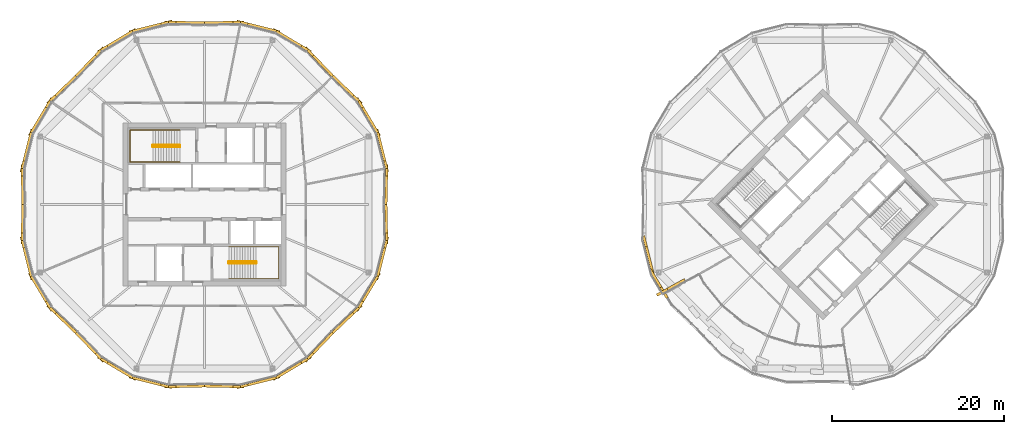
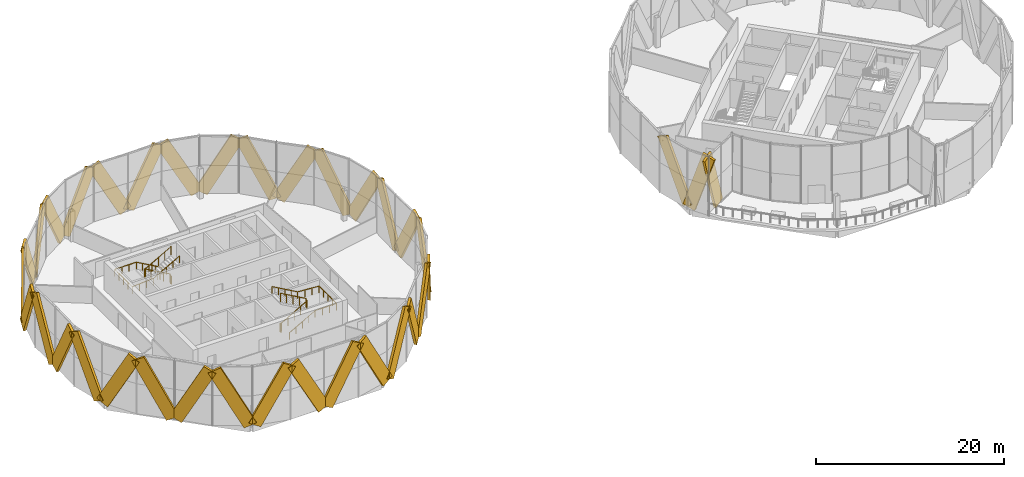
# One storey, part 23 of 26: 35 coverings, 4 railings.
"""IFC4 building model written with IfcOpenShell, lengths in metres."""

from ifc_helpers import new_model, si_unit, direction, frame, origin, origin_2d, place, context, subcontext, project, spatial, rectangle, circle, extrude, material, material_profile, profile_set, type_object, element, save


model = new_model("IFC4")

# Units and contexts
model_context = context("Model", 3, precision=1e-05, world=origin(), true_north=direction((0.0, 1.0)))
body_context = subcontext(model_context, "Body", "Model", "MODEL_VIEW")
ifc_project = project(units=[si_unit("LENGTHUNIT", "METRE"), si_unit("AREAUNIT", "SQUARE_METRE"), si_unit("VOLUMEUNIT", "CUBIC_METRE"), si_unit("PLANEANGLEUNIT", "RADIAN"), si_unit("MASSUNIT", "GRAM", prefix="KILO")], contexts=[model_context])

# Site, building, storey
site_placement = place(None, origin())
site = spatial("IfcSite", under=ifc_project, at=site_placement, CompositionType="ELEMENT")
building_placement = place(site_placement, origin())
building = spatial("IfcBuilding", under=site, at=building_placement, Name="Ogive Gate Towers", CompositionType="ELEMENT")
storey_placement = place(building_placement, frame((0.0, 0.0, 208.5)))
storey = spatial("IfcBuildingStorey", under=building, at=storey_placement, Name="L50", CompositionType="ELEMENT", Elevation=208.5)

# Coverings
ifc_material_1 = material(Name="Pale metal aluminium", Category="aluminium")
ifc_material_profile = material_profile(ifc_material_1, rectangle(XDim=0.300048828125, YDim=1.5, at=origin_2d()), Name="1500 x 300 pale metal aluminium")
ifc_profile_set = profile_set([ifc_material_profile], Name="Pale metal aluminium")
covering_type = type_object("IfcCoveringType", Name="Facade fin 1500 x 300", PredefinedType="CLADDING", material=ifc_profile_set)
covering_1_placement = place(storey_placement, frame((-14.865966796875, 0.183837890625, 0.00341796875), z_axis=(0.010291351104, 0.471155661175, 0.881990040213), x_axis=(-0.999761531732, 0.021837574694, 0.0)))
element("IfcCovering", 1, at=covering_1_placement, inside=storey, type_object=covering_type, Name="Facade fin", PredefinedType="CLADDING", context=body_context, shape_type="SweptSolid", body=[
    extrude(rectangle(XDim=0.300048828125, YDim=1.5, at=origin_2d()), origin(), (0.0, 0.0, 1.0), 8.0419921875),
])
for number, where, z_axis, x_axis, name in (
    (2, (-15.772705078125, 8.134765625, 0.00732421875), (0.116539813476, -0.462069606173, 0.87915308731), (0.969635576816, 0.244554386941, 0.0), "Facade fin"),
    (3, (-15.945068359375, 8.55078125, 0.00732421875), (-0.244318266071, 0.409146001432, 0.879151940438), (-0.858573583658, -0.512690356301, 0.0), "Facade fin"),
):
    element("IfcCovering", number, at=place(storey_placement, frame(where, z_axis=z_axis, x_axis=x_axis)), inside=storey, type_object=covering_type, Name=name, PredefinedType="CLADDING", context=body_context, shape_type="SweptSolid", body=[
        extrude(rectangle(XDim=0.300048828125, YDim=1.5, at=origin_2d()), origin(), (0.0, 0.0, 1.0), 8.05908203125),
    ])
for number, where, z_axis, x_axis, name in (
    (4, (-20.926025390625, 14.814208984375, 0.00341796875), (0.340429518652, -0.325918611757, 0.881977778258), (0.69154432748, 0.722334024624, 0.0), "Facade fin"),
    (5, (-21.185791015625, 15.073974609375, 0.00341796875), (-0.325918611757, 0.340429518652, 0.881977778258), (-0.722334024624, -0.69154432748, 0.0), "Facade fin"),
):
    element("IfcCovering", number, at=place(storey_placement, frame(where, z_axis=z_axis, x_axis=x_axis)), inside=storey, type_object=covering_type, Name=name, PredefinedType="CLADDING", context=body_context, shape_type="SweptSolid", body=[
        extrude(rectangle(XDim=0.300048828125, YDim=1.5, at=origin_2d()), origin(), (0.0, 0.0, 1.0), 8.042236328125),
    ])
for number, where, z_axis, x_axis, name in (
    (6, (-27.44921875, 20.054931640625, 0.00732421875), (0.409146001432, -0.244318266071, 0.879151940438), (0.512690356301, 0.858573583658, 0.0), "Facade fin"),
    (7, (-27.865234375, 20.227294921875, 0.00732421875), (-0.462069606173, 0.116539813476, 0.87915308731), (-0.244554386941, -0.969635576816, 0.0), "Facade fin"),
):
    element("IfcCovering", number, at=place(storey_placement, frame(where, z_axis=z_axis, x_axis=x_axis)), inside=storey, type_object=covering_type, Name=name, PredefinedType="CLADDING", context=body_context, shape_type="SweptSolid", body=[
        extrude(rectangle(XDim=0.300048828125, YDim=1.5, at=origin_2d()), origin(), (0.0, 0.0, 1.0), 8.05908203125),
    ])
for number, where, z_axis, x_axis, name in (
    (8, (-35.816162109375, 21.134033203125, 0.00341796875), (0.471155661175, 0.010291351104, 0.881990040213), (-0.021837574694, 0.999761531732, 0.0), "Facade fin"),
    (9, (-36.183837890625, 21.134033203125, 0.00341796875), (-0.471155661175, 0.010291351104, 0.881990040213), (-0.021837574694, -0.999761531732, 0.0), "Facade fin"),
):
    element("IfcCovering", number, at=place(storey_placement, frame(where, z_axis=z_axis, x_axis=x_axis)), inside=storey, type_object=covering_type, Name=name, PredefinedType="CLADDING", context=body_context, shape_type="SweptSolid", body=[
        extrude(rectangle(XDim=0.300048828125, YDim=1.5, at=origin_2d()), origin(), (0.0, 0.0, 1.0), 8.0419921875),
    ])
for number, where, z_axis, x_axis, name in (
    (10, (-44.134765625, 20.227294921875, 0.00732421875), (0.462069606173, 0.116539813476, 0.87915308731), (-0.244554386941, 0.969635576816, 0.0), "Facade fin"),
    (11, (-44.55078125, 20.054931640625, 0.00732421875), (-0.409146001432, -0.244318266071, 0.879151940438), (0.512690356301, -0.858573583658, 0.0), "Facade fin"),
):
    element("IfcCovering", number, at=place(storey_placement, frame(where, z_axis=z_axis, x_axis=x_axis)), inside=storey, type_object=covering_type, Name=name, PredefinedType="CLADDING", context=body_context, shape_type="SweptSolid", body=[
        extrude(rectangle(XDim=0.300048828125, YDim=1.5, at=origin_2d()), origin(), (0.0, 0.0, 1.0), 8.05908203125),
    ])
for number, where, z_axis, x_axis, name in (
    (12, (-50.814208984375, 15.073974609375, 0.00341796875), (0.325918611757, 0.340429518652, 0.881977778258), (-0.722334024624, 0.69154432748, 0.0), "Facade fin"),
    (13, (-51.073974609375, 14.814208984375, 0.00341796875), (-0.340429518652, -0.325918611757, 0.881977778258), (0.69154432748, -0.722334024624, 0.0), "Facade fin"),
):
    element("IfcCovering", number, at=place(storey_placement, frame(where, z_axis=z_axis, x_axis=x_axis)), inside=storey, type_object=covering_type, Name=name, PredefinedType="CLADDING", context=body_context, shape_type="SweptSolid", body=[
        extrude(rectangle(XDim=0.300048828125, YDim=1.5, at=origin_2d()), origin(), (0.0, 0.0, 1.0), 8.042236328125),
    ])
for number, where, z_axis, x_axis, name in (
    (14, (-56.054931640625, 8.55078125, 0.00732421875), (0.244318266071, 0.409146001432, 0.879151940438), (-0.858573583658, 0.512690356301, 0.0), "Facade fin"),
    (15, (-56.227294921875, 8.134765625, 0.00732421875), (-0.116539813476, -0.462069606173, 0.87915308731), (0.969635576816, -0.244554386941, 0.0), "Facade fin"),
):
    element("IfcCovering", number, at=place(storey_placement, frame(where, z_axis=z_axis, x_axis=x_axis)), inside=storey, type_object=covering_type, Name=name, PredefinedType="CLADDING", context=body_context, shape_type="SweptSolid", body=[
        extrude(rectangle(XDim=0.300048828125, YDim=1.5, at=origin_2d()), origin(), (0.0, 0.0, 1.0), 8.05908203125),
    ])
for number, where, z_axis, x_axis, name in (
    (16, (-57.134033203125, 0.183837890625, 0.00341796875), (-0.010291351104, 0.471155661175, 0.881990040213), (-0.999761531732, -0.021837574694, 0.0), "Facade fin"),
    (17, (-57.134033203125, -0.183837890625, 0.00341796875), (-0.010291351104, -0.471155661175, 0.881990040213), (0.999761531732, -0.021837574694, 0.0), "Facade fin"),
):
    element("IfcCovering", number, at=place(storey_placement, frame(where, z_axis=z_axis, x_axis=x_axis)), inside=storey, type_object=covering_type, Name=name, PredefinedType="CLADDING", context=body_context, shape_type="SweptSolid", body=[
        extrude(rectangle(XDim=0.300048828125, YDim=1.5, at=origin_2d()), origin(), (0.0, 0.0, 1.0), 8.0419921875),
    ])
for number, where, z_axis, x_axis, name in (
    (18, (-56.227294921875, -8.134765625, 0.00732421875), (-0.116539813476, 0.462069606173, 0.87915308731), (-0.969635576816, -0.244554386941, 0.0), "Facade fin"),
    (19, (-56.054931640625, -8.55078125, 0.00732421875), (0.244318266071, -0.409146001432, 0.879151940438), (0.858573583658, 0.512690356301, 0.0), "Facade fin"),
):
    element("IfcCovering", number, at=place(storey_placement, frame(where, z_axis=z_axis, x_axis=x_axis)), inside=storey, type_object=covering_type, Name=name, PredefinedType="CLADDING", context=body_context, shape_type="SweptSolid", body=[
        extrude(rectangle(XDim=0.300048828125, YDim=1.5, at=origin_2d()), origin(), (0.0, 0.0, 1.0), 8.05908203125),
    ])
for number, where, z_axis, x_axis, name in (
    (20, (-51.073974609375, -14.814208984375, 0.00341796875), (-0.340429518652, 0.325918611757, 0.881977778258), (-0.69154432748, -0.722334024624, 0.0), "Facade fin"),
    (21, (-50.814208984375, -15.073974609375, 0.00341796875), (0.325918611757, -0.340429518652, 0.881977778258), (0.722334024624, 0.69154432748, 0.0), "Facade fin"),
):
    element("IfcCovering", number, at=place(storey_placement, frame(where, z_axis=z_axis, x_axis=x_axis)), inside=storey, type_object=covering_type, Name=name, PredefinedType="CLADDING", context=body_context, shape_type="SweptSolid", body=[
        extrude(rectangle(XDim=0.300048828125, YDim=1.5, at=origin_2d()), origin(), (0.0, 0.0, 1.0), 8.042236328125),
    ])
for number, where, z_axis, x_axis, name in (
    (22, (-44.55078125, -20.054931640625, 0.00732421875), (-0.409146001432, 0.244318266071, 0.879151940438), (-0.512690356301, -0.858573583658, 0.0), "Facade fin"),
    (23, (-44.134765625, -20.227294921875, 0.00732421875), (0.462069606173, -0.116539813476, 0.87915308731), (0.244554386941, 0.969635576816, 0.0), "Facade fin"),
):
    element("IfcCovering", number, at=place(storey_placement, frame(where, z_axis=z_axis, x_axis=x_axis)), inside=storey, type_object=covering_type, Name=name, PredefinedType="CLADDING", context=body_context, shape_type="SweptSolid", body=[
        extrude(rectangle(XDim=0.300048828125, YDim=1.5, at=origin_2d()), origin(), (0.0, 0.0, 1.0), 8.05908203125),
    ])
for number, where, z_axis, x_axis, name in (
    (24, (-36.183837890625, -21.134033203125, 0.00341796875), (-0.471155661175, -0.010291351104, 0.881990040213), (0.021837574694, -0.999761531732, 0.0), "Facade fin"),
    (25, (-35.816162109375, -21.134033203125, 0.00341796875), (0.471155661175, -0.010291351104, 0.881990040213), (0.021837574694, 0.999761531732, 0.0), "Facade fin"),
):
    element("IfcCovering", number, at=place(storey_placement, frame(where, z_axis=z_axis, x_axis=x_axis)), inside=storey, type_object=covering_type, Name=name, PredefinedType="CLADDING", context=body_context, shape_type="SweptSolid", body=[
        extrude(rectangle(XDim=0.300048828125, YDim=1.5, at=origin_2d()), origin(), (0.0, 0.0, 1.0), 8.0419921875),
    ])
for number, where, z_axis, x_axis, name in (
    (26, (-27.865234375, -20.227294921875, 0.00732421875), (-0.462069606173, -0.116539813476, 0.87915308731), (0.244554386941, -0.969635576816, 0.0), "Facade fin"),
    (27, (-27.44921875, -20.054931640625, 0.00732421875), (0.409146001432, 0.244318266071, 0.879151940438), (-0.512690356301, 0.858573583658, 0.0), "Facade fin"),
):
    element("IfcCovering", number, at=place(storey_placement, frame(where, z_axis=z_axis, x_axis=x_axis)), inside=storey, type_object=covering_type, Name=name, PredefinedType="CLADDING", context=body_context, shape_type="SweptSolid", body=[
        extrude(rectangle(XDim=0.300048828125, YDim=1.5, at=origin_2d()), origin(), (0.0, 0.0, 1.0), 8.05908203125),
    ])
for number, where, z_axis, x_axis, name in (
    (28, (-21.185791015625, -15.073974609375, 0.00341796875), (-0.325918611757, -0.340429518652, 0.881977778258), (0.722334024624, -0.69154432748, 0.0), "Facade fin"),
    (29, (-20.926025390625, -14.814208984375, 0.00341796875), (0.340429518652, 0.325918611757, 0.881977778258), (-0.69154432748, 0.722334024624, 0.0), "Facade fin"),
):
    element("IfcCovering", number, at=place(storey_placement, frame(where, z_axis=z_axis, x_axis=x_axis)), inside=storey, type_object=covering_type, Name=name, PredefinedType="CLADDING", context=body_context, shape_type="SweptSolid", body=[
        extrude(rectangle(XDim=0.300048828125, YDim=1.5, at=origin_2d()), origin(), (0.0, 0.0, 1.0), 8.042236328125),
    ])
for number, where, z_axis, x_axis, name in (
    (30, (-15.945068359375, -8.55078125, 0.00732421875), (-0.244318266071, -0.409146001432, 0.879151940438), (0.858573583658, -0.512690356301, 0.0), "Facade fin"),
    (31, (-15.772705078125, -8.134765625, 0.00732421875), (0.116539813476, 0.462069606173, 0.87915308731), (-0.969635576816, 0.244554386941, 0.0), "Facade fin"),
):
    element("IfcCovering", number, at=place(storey_placement, frame(where, z_axis=z_axis, x_axis=x_axis)), inside=storey, type_object=covering_type, Name=name, PredefinedType="CLADDING", context=body_context, shape_type="SweptSolid", body=[
        extrude(rectangle(XDim=0.300048828125, YDim=1.5, at=origin_2d()), origin(), (0.0, 0.0, 1.0), 8.05908203125),
    ])
covering_2_placement = place(storey_placement, frame((-14.865966796875, -0.183837890625, 0.00341796875), z_axis=(0.010291351104, -0.471155661175, 0.881990040213), x_axis=(0.999761531732, 0.021837574694, 0.0)))
element("IfcCovering", 32, at=covering_2_placement, inside=storey, type_object=covering_type, Name="Facade fin", PredefinedType="CLADDING", context=body_context, shape_type="SweptSolid", body=[
    extrude(rectangle(XDim=0.300048828125, YDim=1.5, at=origin_2d()), origin(), (0.0, 0.0, 1.0), 8.0419921875),
])
covering_3_placement = place(storey_placement, frame((16.21875, -8.022216796875, 0.00732421875), z_axis=(-0.11656969557, 0.462067974669, 0.879149983143), x_axis=(-0.969620500905, -0.244614153772, 0.0)))
element("IfcCovering", 33, at=covering_3_placement, inside=storey, type_object=covering_type, Name="Facade fin", PredefinedType="CLADDING", context=body_context, shape_type="SweptSolid", body=[
    extrude(rectangle(XDim=0.300048828125, YDim=1.5, at=origin_2d()), origin(), (0.0, 0.0, 1.0), 8.05908203125),
])
covering_4_placement = place(storey_placement, frame((19.30029296875, -9.108154296875, -0.127197265625), z_axis=(-0.259947688534, -0.144094889901, 0.954810903756), x_axis=(0.484818713964, -0.874614666348, 0.0)))
element("IfcCovering", 34, at=covering_4_placement, inside=storey, type_object=covering_type, Name="Facade fin", PredefinedType="CLADDING", context=body_context, shape_type="SweptSolid", body=[
    extrude(rectangle(XDim=0.300048828125, YDim=1.5, at=origin_2d()), origin(), (0.0, 0.0, 1.0), 7.702392578125),
])
covering_5_placement = place(storey_placement, frame((16.279541015625, -8.213623046875, -0.1171875), z_axis=(0.159131013581, -0.266494610536, 0.950609248362), x_axis=(0.858579417996, 0.51268058574, 0.0)))
element("IfcCovering", 35, at=covering_5_placement, inside=storey, type_object=covering_type, Name="Facade fin", PredefinedType="CLADDING", context=body_context, shape_type="SweptSolid", body=[
    extrude(rectangle(XDim=0.300048828125, YDim=1.5, at=origin_2d()), origin(), (0.0, 0.0, 1.0), 7.715576171875),
])

# Railings
ifc_material_2 = material(Name="Stainless steel", Category="steel")
railing_type_1 = type_object("IfcRailingType", Name="Stair guard 1100", PredefinedType="GUARDRAIL", material=ifc_material_2)
railing_1_placement = place(storey_placement, frame((-38.81494140625, 6.860107421875, 0.0)))
element("IfcRailing", 36, at=railing_1_placement, inside=storey, type_object=railing_type_1, Name="L50 ST1 stair guard 1", PredefinedType="GUARDRAIL", context=body_context, shape_type="SweptSolid", body=[
    extrude(circle(Radius=0.02392578125, at=origin_2d()), frame((0.0, 0.0, 1.076171875), z_axis=(0.0, -1.0, 0.0), x_axis=(1.0, 0.0, 0.0)), (0.0, 0.0, 1.0), 0.14501953125),
    extrude(circle(Radius=0.02392578125, at=origin_2d()), frame((0.0, -0.14501953125, 1.076171875), z_axis=(-0.186679794065, 0.726685247142, 0.661119660934), x_axis=(-0.968551454522, -0.24881334358, 0.0)), (0.0, 0.0, 1.0), 0.26806640625),
    extrude(circle(Radius=0.02392578125, at=origin_2d()), frame((-0.050048828125, 0.0498046875, 1.25341796875), z_axis=(-0.870572935281, 0.0, 0.492039393094), x_axis=(0.0, -1.0, 0.0)), (0.0, 0.0, 1.0), 3.602783203125),
    extrude(circle(Radius=0.02392578125, at=origin_2d()), frame((-3.1865234375, 0.0498046875, 3.02587890625), z_axis=(-0.707106781187, -0.707106781187, 0.0), x_axis=(0.707106781187, -0.707106781187, 0.0)), (0.0, 0.0, 1.0), 0.0703125),
    extrude(circle(Radius=0.02392578125, at=origin_2d()), frame((-3.236328125, 0.0, 3.02587890625), z_axis=(0.0, -1.0, 0.0), x_axis=(1.0, 0.0, 0.0)), (0.0, 0.0, 1.0), 0.14501953125),
    extrude(circle(Radius=0.02392578125, at=origin_2d()), frame((-3.236328125, -0.14501953125, 3.02587890625), z_axis=(0.261041864531, -0.262321481514, 0.929001929653), x_axis=(0.708833529934, 0.705375805398, 0.0)), (0.0, 0.0, 1.0), 0.190673828125),
    extrude(circle(Radius=0.02392578125, at=origin_2d()), frame((-3.1865234375, -0.195068359375, 3.203125), z_axis=(0.870572935281, 0.0, 0.492039393094), x_axis=(0.0, 1.0, 0.0)), (0.0, 0.0, 1.0), 3.602783203125),
    extrude(circle(Radius=0.02099609375, at=origin_2d()), origin(), (0.0, 0.0, 1.0), 1.052001953125),
    extrude(circle(Radius=0.02099609375, at=origin_2d()), frame((0.0, -0.14501953125, 0.0)), (0.0, 0.0, 1.0), 1.052001953125),
    extrude(circle(Radius=0.02099609375, at=origin_2d()), frame((-0.050048828125, 0.0498046875, 0.17724609375)), (0.0, 0.0, 1.0), 1.052001953125),
    extrude(circle(Radius=0.02099609375, at=origin_2d()), frame((-0.834228515625, 0.0498046875, 0.620361328125)), (0.0, 0.0, 1.0), 1.052001953125),
    extrude(circle(Radius=0.02099609375, at=origin_2d()), frame((-1.6181640625, 0.0498046875, 1.0634765625)), (0.0, 0.0, 1.0), 1.052001953125),
    extrude(circle(Radius=0.02099609375, at=origin_2d()), frame((-2.40234375, 0.0498046875, 1.5068359375)), (0.0, 0.0, 1.0), 1.052001953125),
    extrude(circle(Radius=0.02099609375, at=origin_2d()), frame((-3.1865234375, 0.0498046875, 1.949951171875)), (0.0, 0.0, 1.0), 1.052001953125),
    extrude(circle(Radius=0.02099609375, at=origin_2d()), frame((-3.236328125, 0.0, 1.949951171875)), (0.0, 0.0, 1.0), 1.052001953125),
    extrude(circle(Radius=0.02099609375, at=origin_2d()), frame((-3.236328125, -0.14501953125, 1.949951171875)), (0.0, 0.0, 1.0), 1.052001953125),
    extrude(circle(Radius=0.02099609375, at=origin_2d()), frame((-3.1865234375, -0.195068359375, 2.127197265625)), (0.0, 0.0, 1.0), 1.052001953125),
    extrude(circle(Radius=0.02099609375, at=origin_2d()), frame((-2.40234375, -0.195068359375, 2.5703125)), (0.0, 0.0, 1.0), 1.052001953125),
    extrude(circle(Radius=0.02099609375, at=origin_2d()), frame((-1.6181640625, -0.195068359375, 3.013671875)), (0.0, 0.0, 1.0), 1.052001953125),
    extrude(circle(Radius=0.02099609375, at=origin_2d()), frame((-0.834228515625, -0.195068359375, 3.456787109375)), (0.0, 0.0, 1.0), 1.052001953125),
    extrude(circle(Radius=0.02099609375, at=origin_2d()), frame((-0.050048828125, -0.195068359375, 3.89990234375)), (0.0, 0.0, 1.0), 1.052001953125),
])
railing_2_placement = place(storey_placement, frame((-33.18505859375, -6.860107421875, 0.0)))
element("IfcRailing", 37, at=railing_2_placement, inside=storey, type_object=railing_type_1, Name="L50 ST2 stair guard 1", PredefinedType="GUARDRAIL", context=body_context, shape_type="SweptSolid", body=[
    extrude(circle(Radius=0.02392578125, at=origin_2d()), frame((0.0, 0.0, 1.076171875), z_axis=(0.0, 1.0, 0.0), x_axis=(-1.0, 0.0, 0.0)), (0.0, 0.0, 1.0), 0.14501953125),
    extrude(circle(Radius=0.02392578125, at=origin_2d()), frame((0.0, 0.14501953125, 1.076171875), z_axis=(0.186679794065, -0.726685247142, 0.661119660934), x_axis=(0.968551454522, 0.24881334358, 0.0)), (0.0, 0.0, 1.0), 0.26806640625),
    extrude(circle(Radius=0.02392578125, at=origin_2d()), frame((0.050048828125, -0.0498046875, 1.25341796875), z_axis=(0.870572935281, 0.0, 0.492039393094), x_axis=(0.0, 1.0, 0.0)), (0.0, 0.0, 1.0), 3.602783203125),
    extrude(circle(Radius=0.02392578125, at=origin_2d()), frame((3.1865234375, -0.0498046875, 3.02587890625), z_axis=(0.707106781187, 0.707106781187, 0.0), x_axis=(-0.707106781187, 0.707106781187, 0.0)), (0.0, 0.0, 1.0), 0.0703125),
    extrude(circle(Radius=0.02392578125, at=origin_2d()), frame((3.236328125, 0.0, 3.02587890625), z_axis=(0.0, 1.0, 0.0), x_axis=(-1.0, 0.0, 0.0)), (0.0, 0.0, 1.0), 0.14501953125),
    extrude(circle(Radius=0.02392578125, at=origin_2d()), frame((3.236328125, 0.14501953125, 3.02587890625), z_axis=(-0.261041864531, 0.262321481514, 0.929001929653), x_axis=(-0.708833529934, -0.705375805398, 0.0)), (0.0, 0.0, 1.0), 0.190673828125),
    extrude(circle(Radius=0.02392578125, at=origin_2d()), frame((3.1865234375, 0.195068359375, 3.203125), z_axis=(-0.870572935281, 0.0, 0.492039393094), x_axis=(0.0, -1.0, 0.0)), (0.0, 0.0, 1.0), 3.602783203125),
    extrude(circle(Radius=0.02099609375, at=origin_2d()), origin(), (0.0, 0.0, 1.0), 1.052001953125),
    extrude(circle(Radius=0.02099609375, at=origin_2d()), frame((0.0, 0.14501953125, 0.0)), (0.0, 0.0, 1.0), 1.052001953125),
    extrude(circle(Radius=0.02099609375, at=origin_2d()), frame((0.050048828125, -0.0498046875, 0.17724609375)), (0.0, 0.0, 1.0), 1.052001953125),
    extrude(circle(Radius=0.02099609375, at=origin_2d()), frame((0.834228515625, -0.0498046875, 0.620361328125)), (0.0, 0.0, 1.0), 1.052001953125),
    extrude(circle(Radius=0.02099609375, at=origin_2d()), frame((1.6181640625, -0.0498046875, 1.0634765625)), (0.0, 0.0, 1.0), 1.052001953125),
    extrude(circle(Radius=0.02099609375, at=origin_2d()), frame((2.40234375, -0.0498046875, 1.5068359375)), (0.0, 0.0, 1.0), 1.052001953125),
    extrude(circle(Radius=0.02099609375, at=origin_2d()), frame((3.1865234375, -0.0498046875, 1.949951171875)), (0.0, 0.0, 1.0), 1.052001953125),
    extrude(circle(Radius=0.02099609375, at=origin_2d()), frame((3.236328125, 0.0, 1.949951171875)), (0.0, 0.0, 1.0), 1.052001953125),
    extrude(circle(Radius=0.02099609375, at=origin_2d()), frame((3.236328125, 0.14501953125, 1.949951171875)), (0.0, 0.0, 1.0), 1.052001953125),
    extrude(circle(Radius=0.02099609375, at=origin_2d()), frame((3.1865234375, 0.195068359375, 2.127197265625)), (0.0, 0.0, 1.0), 1.052001953125),
    extrude(circle(Radius=0.02099609375, at=origin_2d()), frame((2.40234375, 0.195068359375, 2.5703125)), (0.0, 0.0, 1.0), 1.052001953125),
    extrude(circle(Radius=0.02099609375, at=origin_2d()), frame((1.6181640625, 0.195068359375, 3.013671875)), (0.0, 0.0, 1.0), 1.052001953125),
    extrude(circle(Radius=0.02099609375, at=origin_2d()), frame((0.834228515625, 0.195068359375, 3.456787109375)), (0.0, 0.0, 1.0), 1.052001953125),
    extrude(circle(Radius=0.02099609375, at=origin_2d()), frame((0.050048828125, 0.195068359375, 3.89990234375)), (0.0, 0.0, 1.0), 1.052001953125),
])
railing_type_2 = type_object("IfcRailingType", Name="Stair handrail 900", PredefinedType="HANDRAIL", material=ifc_material_2)
railing_3_placement = place(storey_placement, frame((-38.864990234375, 8.64990234375, 0.17724609375)))
element("IfcRailing", 38, at=railing_3_placement, inside=storey, type_object=railing_type_2, Name="L50 ST1 stair handrail 1", PredefinedType="HANDRAIL", context=body_context, shape_type="SweptSolid", body=[
    extrude(circle(Radius=0.02392578125, at=origin_2d()), frame((0.0, 0.0, 0.8759765625), z_axis=(-0.870572935281, 0.0, 0.492039393094), x_axis=(0.0, -1.0, 0.0)), (0.0, 0.0, 1.0), 3.602783203125),
    extrude(circle(Radius=0.02392578125, at=origin_2d()), frame((-3.136474609375, 0.0, 2.6484375), z_axis=(-1.0, 0.0, 0.0), x_axis=(0.0, -1.0, 0.0)), (0.0, 0.0, 1.0), 2.6484375),
    extrude(circle(Radius=0.02392578125, at=origin_2d()), frame((-5.784912109375, 0.0, 2.6484375), z_axis=(0.0, -1.0, 0.0), x_axis=(1.0, 0.0, 0.0)), (0.0, 0.0, 1.0), 3.724853515625),
    extrude(circle(Radius=0.02392578125, at=origin_2d()), frame((-5.784912109375, -3.724853515625, 2.6484375), z_axis=(0.997768031817, 0.0, 0.066775404784), x_axis=(0.0, 1.0, 0.0)), (0.0, 0.0, 1.0), 2.654296875),
    extrude(circle(Radius=0.02392578125, at=origin_2d()), frame((-3.136474609375, -3.724853515625, 2.82568359375), z_axis=(0.870572935281, 0.0, 0.492039393094), x_axis=(0.0, 1.0, 0.0)), (0.0, 0.0, 1.0), 3.602783203125),
    extrude(circle(Radius=0.02099609375, at=origin_2d()), origin(), (0.0, 0.0, 1.0), 0.851806640625),
    extrude(circle(Radius=0.02099609375, at=origin_2d()), frame((-0.7841796875, 0.0, 0.443115234375)), (0.0, 0.0, 1.0), 0.851806640625),
    extrude(circle(Radius=0.02099609375, at=origin_2d()), frame((-1.568359375, 0.0, 0.88623046875)), (0.0, 0.0, 1.0), 0.851806640625),
    extrude(circle(Radius=0.02099609375, at=origin_2d()), frame((-2.352294921875, 0.0, 1.32958984375)), (0.0, 0.0, 1.0), 0.851806640625),
    extrude(circle(Radius=0.02099609375, at=origin_2d()), frame((-3.136474609375, 0.0, 1.772705078125)), (0.0, 0.0, 1.0), 0.851806640625),
    extrude(circle(Radius=0.02099609375, at=origin_2d()), frame((-4.019287109375, 0.0, 1.772705078125)), (0.0, 0.0, 1.0), 0.851806640625),
    extrude(circle(Radius=0.02099609375, at=origin_2d()), frame((-4.902099609375, 0.0, 1.772705078125)), (0.0, 0.0, 1.0), 0.851806640625),
    extrude(circle(Radius=0.02099609375, at=origin_2d()), frame((-5.784912109375, 0.0, 1.772705078125)), (0.0, 0.0, 1.0), 0.851806640625),
    extrude(circle(Radius=0.02099609375, at=origin_2d()), frame((-5.784912109375, -0.93115234375, 1.772705078125)), (0.0, 0.0, 1.0), 0.851806640625),
    extrude(circle(Radius=0.02099609375, at=origin_2d()), frame((-5.784912109375, -1.8623046875, 1.772705078125)), (0.0, 0.0, 1.0), 0.851806640625),
    extrude(circle(Radius=0.02099609375, at=origin_2d()), frame((-5.784912109375, -2.793701171875, 1.772705078125)), (0.0, 0.0, 1.0), 0.851806640625),
    extrude(circle(Radius=0.02099609375, at=origin_2d()), frame((-5.784912109375, -3.724853515625, 1.772705078125)), (0.0, 0.0, 1.0), 0.851806640625),
    extrude(circle(Radius=0.02099609375, at=origin_2d()), frame((-4.902099609375, -3.724853515625, 1.831787109375)), (0.0, 0.0, 1.0), 0.851806640625),
    extrude(circle(Radius=0.02099609375, at=origin_2d()), frame((-4.019287109375, -3.724853515625, 1.890869140625)), (0.0, 0.0, 1.0), 0.851806640625),
    extrude(circle(Radius=0.02099609375, at=origin_2d()), frame((-3.136474609375, -3.724853515625, 1.949951171875)), (0.0, 0.0, 1.0), 0.851806640625),
    extrude(circle(Radius=0.02099609375, at=origin_2d()), frame((-2.352294921875, -3.724853515625, 2.39306640625)), (0.0, 0.0, 1.0), 0.851806640625),
    extrude(circle(Radius=0.02099609375, at=origin_2d()), frame((-1.568359375, -3.724853515625, 2.83642578125)), (0.0, 0.0, 1.0), 0.851806640625),
    extrude(circle(Radius=0.02099609375, at=origin_2d()), frame((-0.7841796875, -3.724853515625, 3.279541015625)), (0.0, 0.0, 1.0), 0.851806640625),
    extrude(circle(Radius=0.02099609375, at=origin_2d()), frame((0.0, -3.724853515625, 3.72265625)), (0.0, 0.0, 1.0), 0.851806640625),
])
railing_4_placement = place(storey_placement, frame((-33.135009765625, -8.64990234375, 0.17724609375)))
element("IfcRailing", 39, at=railing_4_placement, inside=storey, type_object=railing_type_2, Name="L50 ST2 stair handrail 1", PredefinedType="HANDRAIL", context=body_context, shape_type="SweptSolid", body=[
    extrude(circle(Radius=0.02392578125, at=origin_2d()), frame((0.0, 0.0, 0.8759765625), z_axis=(0.870572935281, 0.0, 0.492039393094), x_axis=(0.0, 1.0, 0.0)), (0.0, 0.0, 1.0), 3.602783203125),
    extrude(circle(Radius=0.02392578125, at=origin_2d()), frame((3.136474609375, 0.0, 2.6484375), z_axis=(1.0, 0.0, 0.0), x_axis=(0.0, 1.0, 0.0)), (0.0, 0.0, 1.0), 2.6484375),
    extrude(circle(Radius=0.02392578125, at=origin_2d()), frame((5.784912109375, 0.0, 2.6484375), z_axis=(0.0, 1.0, 0.0), x_axis=(-1.0, 0.0, 0.0)), (0.0, 0.0, 1.0), 3.724853515625),
    extrude(circle(Radius=0.02392578125, at=origin_2d()), frame((5.784912109375, 3.724853515625, 2.6484375), z_axis=(-0.997768031817, 0.0, 0.066775404784), x_axis=(0.0, -1.0, 0.0)), (0.0, 0.0, 1.0), 2.654296875),
    extrude(circle(Radius=0.02392578125, at=origin_2d()), frame((3.136474609375, 3.724853515625, 2.82568359375), z_axis=(-0.870572935281, 0.0, 0.492039393094), x_axis=(0.0, -1.0, 0.0)), (0.0, 0.0, 1.0), 3.602783203125),
    extrude(circle(Radius=0.02099609375, at=origin_2d()), origin(), (0.0, 0.0, 1.0), 0.851806640625),
    extrude(circle(Radius=0.02099609375, at=origin_2d()), frame((0.7841796875, 0.0, 0.443115234375)), (0.0, 0.0, 1.0), 0.851806640625),
    extrude(circle(Radius=0.02099609375, at=origin_2d()), frame((1.568359375, 0.0, 0.88623046875)), (0.0, 0.0, 1.0), 0.851806640625),
    extrude(circle(Radius=0.02099609375, at=origin_2d()), frame((2.352294921875, 0.0, 1.32958984375)), (0.0, 0.0, 1.0), 0.851806640625),
    extrude(circle(Radius=0.02099609375, at=origin_2d()), frame((3.136474609375, 0.0, 1.772705078125)), (0.0, 0.0, 1.0), 0.851806640625),
    extrude(circle(Radius=0.02099609375, at=origin_2d()), frame((4.019287109375, 0.0, 1.772705078125)), (0.0, 0.0, 1.0), 0.851806640625),
    extrude(circle(Radius=0.02099609375, at=origin_2d()), frame((4.902099609375, 0.0, 1.772705078125)), (0.0, 0.0, 1.0), 0.851806640625),
    extrude(circle(Radius=0.02099609375, at=origin_2d()), frame((5.784912109375, 0.0, 1.772705078125)), (0.0, 0.0, 1.0), 0.851806640625),
    extrude(circle(Radius=0.02099609375, at=origin_2d()), frame((5.784912109375, 0.93115234375, 1.772705078125)), (0.0, 0.0, 1.0), 0.851806640625),
    extrude(circle(Radius=0.02099609375, at=origin_2d()), frame((5.784912109375, 1.8623046875, 1.772705078125)), (0.0, 0.0, 1.0), 0.851806640625),
    extrude(circle(Radius=0.02099609375, at=origin_2d()), frame((5.784912109375, 2.793701171875, 1.772705078125)), (0.0, 0.0, 1.0), 0.851806640625),
    extrude(circle(Radius=0.02099609375, at=origin_2d()), frame((5.784912109375, 3.724853515625, 1.772705078125)), (0.0, 0.0, 1.0), 0.851806640625),
    extrude(circle(Radius=0.02099609375, at=origin_2d()), frame((4.902099609375, 3.724853515625, 1.831787109375)), (0.0, 0.0, 1.0), 0.851806640625),
    extrude(circle(Radius=0.02099609375, at=origin_2d()), frame((4.019287109375, 3.724853515625, 1.890869140625)), (0.0, 0.0, 1.0), 0.851806640625),
    extrude(circle(Radius=0.02099609375, at=origin_2d()), frame((3.136474609375, 3.724853515625, 1.949951171875)), (0.0, 0.0, 1.0), 0.851806640625),
    extrude(circle(Radius=0.02099609375, at=origin_2d()), frame((2.352294921875, 3.724853515625, 2.39306640625)), (0.0, 0.0, 1.0), 0.851806640625),
    extrude(circle(Radius=0.02099609375, at=origin_2d()), frame((1.568359375, 3.724853515625, 2.83642578125)), (0.0, 0.0, 1.0), 0.851806640625),
    extrude(circle(Radius=0.02099609375, at=origin_2d()), frame((0.7841796875, 3.724853515625, 3.279541015625)), (0.0, 0.0, 1.0), 0.851806640625),
    extrude(circle(Radius=0.02099609375, at=origin_2d()), frame((0.0, 3.724853515625, 3.72265625)), (0.0, 0.0, 1.0), 0.851806640625),
])

save(model, "model.ifc")
